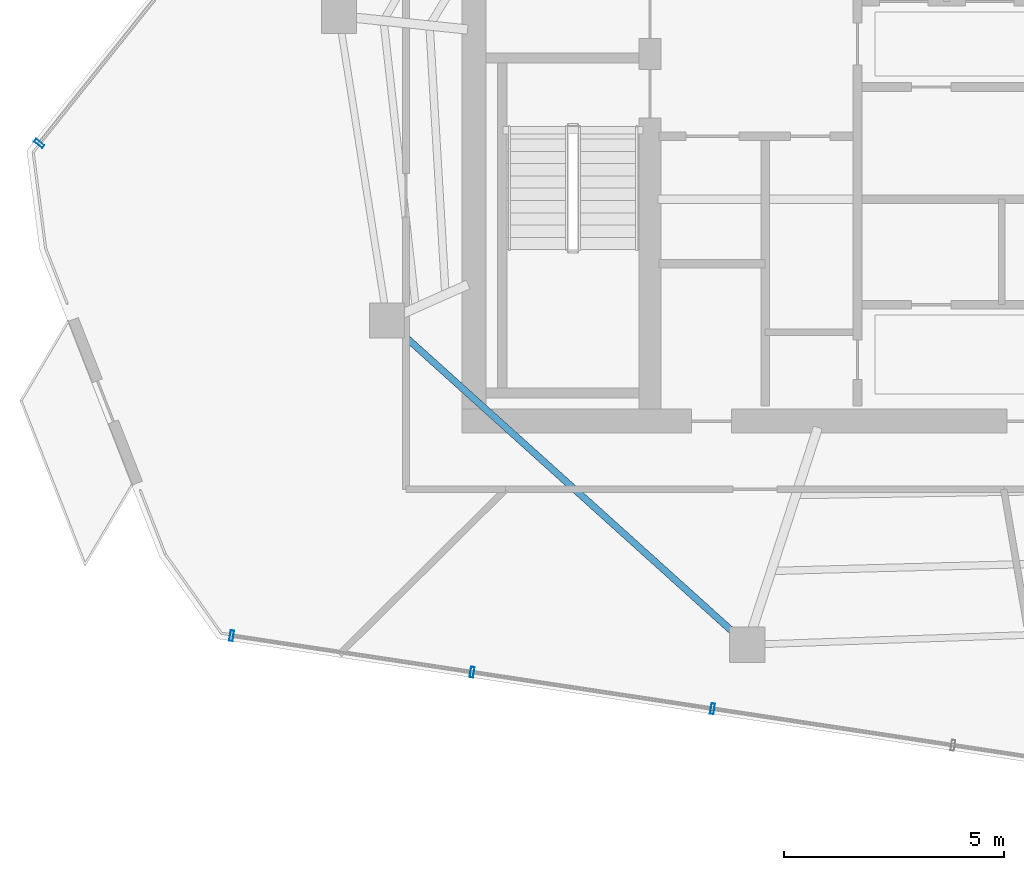
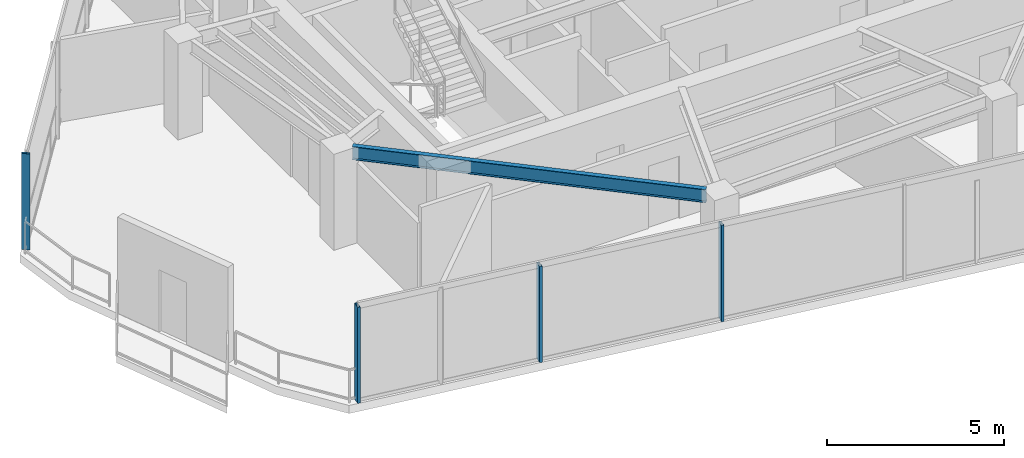
# One storey, part 2 of 19: 4 members, 1 beam, 2 elements without a shape of their own.
"""IFC4 building model written with IfcOpenShell, lengths in metres."""

from ifc_helpers import new_model, si_unit, direction, frame, origin, origin_2d, place, context, subcontext, project, spatial, hollow_rectangle, i_section, extrude, material, layer, layer_set, material_profile, profile_set, type_object, element, aggregate, save


model = new_model("IFC4")

# Units and contexts
model_context = context("Model", 3, precision=1e-05, world=origin(), true_north=direction((0.0, 1.0)))
body_context = subcontext(model_context, "Body", "Model", "MODEL_VIEW")
ifc_project = project(units=[si_unit("LENGTHUNIT", "METRE"), si_unit("AREAUNIT", "SQUARE_METRE"), si_unit("VOLUMEUNIT", "CUBIC_METRE"), si_unit("PLANEANGLEUNIT", "RADIAN"), si_unit("MASSUNIT", "GRAM", prefix="KILO")], contexts=[model_context])

# Site, building, storey
site_placement = place(None, origin())
site = spatial("IfcSite", under=ifc_project, at=site_placement, CompositionType="ELEMENT")
building_placement = place(site_placement, origin())
building = spatial("IfcBuilding", under=site, at=building_placement, Name="Qarnah Convention Tower", CompositionType="ELEMENT")
storey_placement = place(building_placement, frame((0.0, 0.0, 260.699951171875)))
storey = spatial("IfcBuildingStorey", under=building, at=storey_placement, Name="L70", CompositionType="ELEMENT", Elevation=260.699951171875)

# Beam
ifc_material_1 = material(Name="Structural steel S355JR", Category="steel")
ifc_material_profile_1 = material_profile(ifc_material_1, i_section(OverallWidth=0.154052734375, OverallDepth=0.4599609375, WebThickness=0.009033203125, FlangeThickness=0.014892578125, at=origin_2d()), Name="W460X68")
ifc_profile_set_1 = profile_set([ifc_material_profile_1], Name="Structural steel S355JR")
beam_type = type_object("IfcBeamType", Name="BM-SPN-W460B", PredefinedType="SPANDREL", material=ifc_profile_set_1)
beam_placement = place(storey_placement, frame((25.111083984375, 20.6279296875, 3.090087890625), z_axis=(0.743130570512, -0.669146437762, 0.0), x_axis=(0.669146437762, 0.743130570512, 0.0)))
element("IfcBeam", 1, at=beam_placement, inside=storey, type_object=beam_type, Name="L70 spandrel BM-L70-SPN-06", PredefinedType="SPANDREL", context=body_context, shape_type="SweptSolid", body=[
    extrude(i_section(OverallWidth=0.154052734375, OverallDepth=0.4599609375, WebThickness=0.009033203125, FlangeThickness=0.014892578125, at=origin_2d()), origin(), (0.0, 0.0, 1.0), 10.242919921875),
])

# Curtain wall, members
ifc_material_2 = material(Name="Tempered Low-E dark glass", Category="glass")
ifc_layer = layer(ifc_material_2, 0.176025390625)
ifc_layer_set = layer_set([ifc_layer], Name="Tempered Low-E dark glass")
curtain_wall_type = type_object("IfcCurtainWallType", Name="CWS-05", PredefinedType="NOTDEFINED", material=ifc_layer_set)
curtain_wall_1_placement = place(storey_placement, origin())
curtain_wall_1 = element("IfcCurtainWall", 2, at=curtain_wall_1_placement, inside=storey, type_object=curtain_wall_type, Name="L70 unitised curtain wall CW-L70-F1", PredefinedType="NOTDEFINED")
ifc_material_3 = material(Name="Black anodised aluminium", Category="aluminium")
ifc_material_profile_2 = material_profile(ifc_material_3, hollow_rectangle(XDim=0.080078125, YDim=0.239990234375, WallThickness=0.0048828125, at=origin_2d()), Name="MUL-80X240")
ifc_profile_set_2 = profile_set([ifc_material_profile_2], Name="Black anodised aluminium")
member_type = type_object("IfcMemberType", Name="MUL-T5", PredefinedType="MULLION", material=ifc_profile_set_2)
member_1_placement = place(storey_placement, frame((32.22265625, 12.05859375, 0.0), z_axis=(0.0, 0.0, 1.0), x_axis=(-0.988650022064, 0.150236925796, 0.0)))
member_1 = element("IfcMember", 3, at=member_1_placement, type_object=member_type, Name="CW-L70-F1 mullion 4", PredefinedType="MULLION", context=body_context, shape_type="SweptSolid", body=[
    extrude(hollow_rectangle(XDim=0.080078125, YDim=0.239990234375, WallThickness=0.0048828125, at=origin_2d()), origin(), (0.0, 0.0, 1.0), 3.320068359375),
])
member_2_placement = place(storey_placement, frame((26.752685546875, 12.889892578125, 0.0), z_axis=(0.0, 0.0, 1.0), x_axis=(-0.988650022064, 0.150236925796, 0.0)))
member_2 = element("IfcMember", 4, at=member_2_placement, type_object=member_type, Name="CW-L70-F1 mullion 5", PredefinedType="MULLION", context=body_context, shape_type="SweptSolid", body=[
    extrude(hollow_rectangle(XDim=0.080078125, YDim=0.239990234375, WallThickness=0.0048828125, at=origin_2d()), origin(), (0.0, 0.0, 1.0), 3.320068359375),
])
member_3_placement = place(storey_placement, frame((21.282958984375, 13.720947265625, 0.0), z_axis=(0.0, 0.0, 1.0), x_axis=(-0.988650022064, 0.150236925796, 0.0)))
member_3 = element("IfcMember", 5, at=member_3_placement, type_object=member_type, Name="CW-L70-F1 mullion 6", PredefinedType="MULLION", context=body_context, shape_type="SweptSolid", body=[
    extrude(hollow_rectangle(XDim=0.080078125, YDim=0.239990234375, WallThickness=0.0048828125, at=origin_2d()), origin(), (0.0, 0.0, 1.0), 3.320068359375),
])
aggregate(curtain_wall_1, [member_1, member_2, member_3])

# Curtain wall, member
curtain_wall_2_placement = place(storey_placement, origin())
curtain_wall_2 = element("IfcCurtainWall", 6, at=curtain_wall_2_placement, inside=storey, type_object=curtain_wall_type, Name="L70 unitised curtain wall CW-L70-F3", PredefinedType="NOTDEFINED")
member_4_placement = place(storey_placement, frame((16.904052734375, 24.9169921875, 0.0), z_axis=(0.0, 0.0, 1.0), x_axis=(0.624417264657, 0.781090954754, 0.0)))
member_4 = element("IfcMember", 7, at=member_4_placement, type_object=member_type, Name="CW-L70-F3 mullion 1", PredefinedType="MULLION", context=body_context, shape_type="SweptSolid", body=[
    extrude(hollow_rectangle(XDim=0.080078125, YDim=0.239990234375, WallThickness=0.0048828125, at=origin_2d()), origin(), (0.0, 0.0, 1.0), 3.320068359375),
])
aggregate(curtain_wall_2, [member_4])

save(model, "model.ifc")
